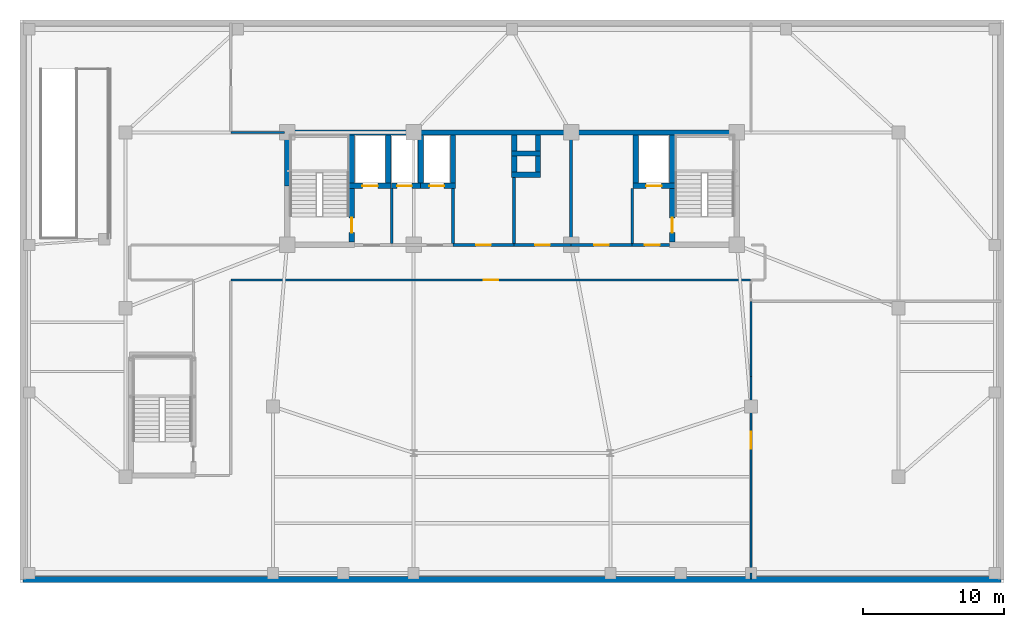
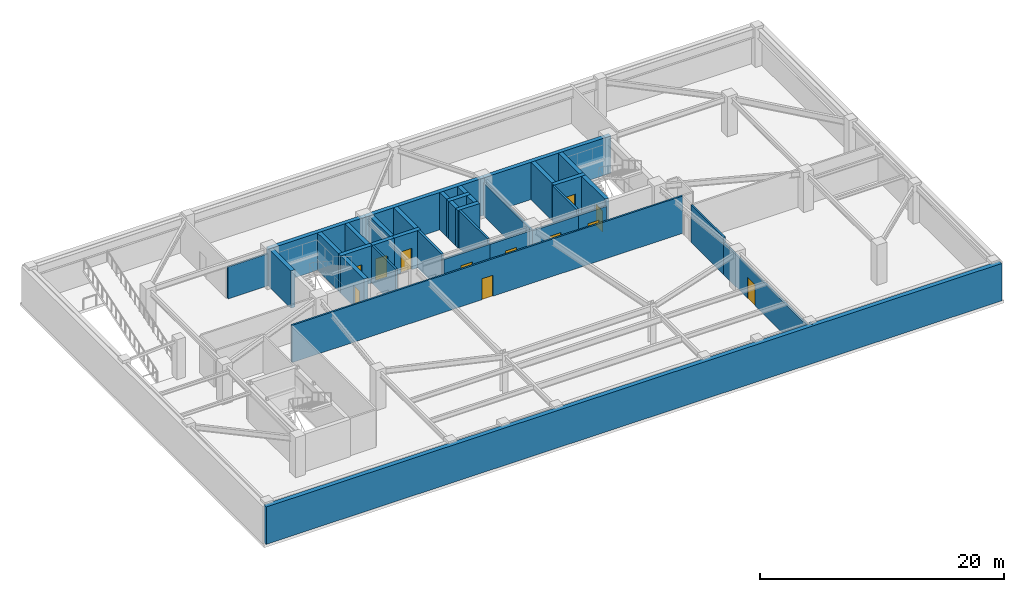
# One storey, part 4 of 8: 37 walls, 12 doors, 12 openings.
"""IFC4 building model written with IfcOpenShell, lengths in metres."""

from ifc_helpers import new_model, si_unit, direction, frame, frame_2d, origin, place, context, subcontext, project, spatial, rectangle, extrude, source, transform, mapped, material, layer, layer_set, type_object, element, fill, save


model = new_model("IFC4")

# Units and contexts
model_context = context("Model", 3, precision=1e-05, world=origin(), true_north=direction((0.0, 1.0)))
body_context = subcontext(model_context, "Body", "Model", "MODEL_VIEW")
ifc_project = project(units=[si_unit("LENGTHUNIT", "METRE"), si_unit("AREAUNIT", "SQUARE_METRE"), si_unit("VOLUMEUNIT", "CUBIC_METRE"), si_unit("PLANEANGLEUNIT", "RADIAN"), si_unit("MASSUNIT", "GRAM", prefix="KILO")], contexts=[model_context])

# Site, building, storey
site_placement = place(None, origin())
site = spatial("IfcSite", under=ifc_project, at=site_placement, CompositionType="ELEMENT")
building_placement = place(site_placement, origin())
building = spatial("IfcBuilding", under=site, at=building_placement, Name="Taldren Reach Tower", CompositionType="ELEMENT")
storey_placement = place(building_placement, frame((0.0, 0.0, -4.0)))
storey = spatial("IfcBuildingStorey", under=building, at=storey_placement, Name="B1", CompositionType="ELEMENT", Elevation=-4.0)

# Walls
ifc_material_1 = material(Name="Concrete S50 (50 MPa)", Category="concrete")
ifc_layer_1 = layer(ifc_material_1, 0.4, Name="Concrete S50 (50 MPa)", Category="concrete")
ifc_material_2 = material(Name="SBS Waterproofing Membrane", Category="bitumen")
ifc_layer_2 = layer(ifc_material_2, 0.02, Name="SBS Waterproofing Membrane", Category="bitumen")
ifc_layer_set_1 = layer_set([ifc_layer_1, ifc_layer_2], Name="Concrete 50 MPa (S50) Retaining Wall with Waterproofing Membrane")
wall_type_1 = type_object("IfcWallType", Name="EW-RET-420", PredefinedType="SOLIDWALL", material=ifc_layer_set_1)
shared_shape_1 = source(origin(), body_context, "Body", "SweptSolid", [
    extrude(rectangle(XDim=69.580078125, YDim=0.419921875, at=frame_2d((34.7900390625, 0.0))), origin(), (0.0, 0.0, 1.0), 3.739990234375),
])
wall_1_placement = place(storey_placement, frame((0.2099609375, 0.2099609375, 0.0), z_axis=(0.0, 0.0, 1.0), x_axis=(1.0, 0.0, 0.0)))
element("IfcWall", 1, at=wall_1_placement, inside=storey, type_object=wall_type_1, Name="Basement diaphragm retaining wall B1-S", PredefinedType="SOLIDWALL", context=body_context, shape_type="MappedRepresentation", body=[
    mapped(shared_shape_1, transform((0.0, 0.0, 0.0), scale=1.0)),
])
ifc_material_3 = material(Name="Concrete S80 (80 MPa)", Category="concrete")
ifc_layer_3 = layer(ifc_material_3, 0.3798828125)
ifc_layer_set_2 = layer_set([ifc_layer_3], Name="Concrete S80 (80 MPa)")
wall_type_2 = type_object("IfcWallType", Name="IW-CORE-380", PredefinedType="SHEAR", material=ifc_layer_set_2)
shared_shape_2 = source(origin(), body_context, "Body", "SweptSolid", [
    extrude(rectangle(XDim=9.18994140625, YDim=0.3798828125, at=frame_2d((4.594970703125, 0.0))), origin(), (0.0, 0.0, 1.0), 3.739990234375),
])
wall_2_placement = place(storey_placement, frame((18.81005859375, 32.0, 0.0), z_axis=(0.0, 0.0, 1.0), x_axis=(1.0, 0.0, 0.0)))
element("IfcWall", 2, at=wall_2_placement, inside=storey, type_object=wall_type_2, Name="Rear Core Shear Wall W-CORE-B1-NORTH1", PredefinedType="SHEAR", context=body_context, shape_type="MappedRepresentation", body=[
    mapped(shared_shape_2, transform((0.0, 0.0, 0.0), scale=1.0)),
])
shared_shape_3 = source(origin(), body_context, "Body", "SweptSolid", [
    extrude(rectangle(XDim=11.199951171875, YDim=0.3798828125, at=frame_2d((5.60009765625, 0.0))), origin(), (0.0, 0.0, 1.0), 3.739990234375),
])
wall_3_placement = place(storey_placement, frame((28.0, 32.0, 0.0), z_axis=(0.0, 0.0, 1.0), x_axis=(1.0, 0.0, 0.0)))
element("IfcWall", 3, at=wall_3_placement, inside=storey, type_object=wall_type_2, Name="Rear Core Shear Wall W-CORE-B1-NORTH2", PredefinedType="SHEAR", context=body_context, shape_type="MappedRepresentation", body=[
    mapped(shared_shape_3, transform((0.0, 0.0, 0.0), scale=1.0)),
])
shared_shape_4 = source(origin(), body_context, "Body", "SweptSolid", [
    extrude(rectangle(XDim=11.989990234375, YDim=0.3798828125, at=frame_2d((5.9951171875, 0.0))), origin(), (0.0, 0.0, 1.0), 3.739990234375),
])
wall_4_placement = place(storey_placement, frame((39.199951171875, 32.0, 0.0), z_axis=(0.0, 0.0, 1.0), x_axis=(1.0, 0.0, 0.0)))
element("IfcWall", 4, at=wall_4_placement, inside=storey, type_object=wall_type_2, Name="Rear Core Shear Wall W-CORE-B1-NORTH3", PredefinedType="SHEAR", context=body_context, shape_type="MappedRepresentation", body=[
    mapped(shared_shape_4, transform((0.0, 0.0, 0.0), scale=1.0)),
])
shared_shape_5 = source(origin(), body_context, "Body", "SweptSolid", [
    extrude(rectangle(XDim=3.610107421875, YDim=0.3798828125, at=frame_2d((1.80517578125, 0.0))), origin(), (0.0, 0.0, 1.0), 3.739990234375),
])
wall_5_placement = place(storey_placement, frame((19.0, 28.199951171875, 0.0), z_axis=(0.0, 0.0, 1.0), x_axis=(0.0, 1.0, 0.0)))
element("IfcWall", 5, at=wall_5_placement, inside=storey, type_object=wall_type_2, Name="Rear Core Shear Wall W-CORE-B1-WEST2", PredefinedType="SHEAR", context=body_context, shape_type="MappedRepresentation", body=[
    mapped(shared_shape_5, transform((0.0, 0.0, 0.0), scale=1.0)),
])
shared_shape_6 = source(origin(), body_context, "Body", "SweptSolid", [
    extrude(rectangle(XDim=3.420166015625, YDim=0.3798828125, at=frame_2d((1.7099609375, 0.0))), origin(), (0.0, 0.0, 1.0), 3.739990234375),
])
for number, where, z_axis, x_axis, name in (
    (6, (23.60009765625, 28.389892578125, 0.0), (0.0, 0.0, 1.0), (0.0, 1.0, 0.0), "Rear Core Shear Wall W-INT-B1-001"),
    (7, (26.199951171875, 28.389892578125, 0.0), (0.0, 0.0, 1.0), (0.0, 1.0, 0.0), "Rear Core Shear Wall W-INT-B1-005"),
    (8, (46.39990234375, 31.81005859375, 0.0), (0.0, 0.0, 1.0), (0.0, -1.0, 0.0), "Rear Core Shear Wall W-INT-B1-008"),
    (9, (43.800048828125, 31.81005859375, 0.0), (0.0, 0.0, 1.0), (0.0, -1.0, 0.0), "Rear Core Shear Wall W-INT-B1-012"),
    (10, (28.5, 28.389892578125, 0.0), (0.0, 0.0, 1.0), (0.0, 1.0, 0.0), "Rear Core Shear Wall W-INT-B1-021"),
    (11, (30.800048828125, 28.389892578125, 0.0), (0.0, 0.0, 1.0), (0.0, 1.0, 0.0), "Rear Core Shear Wall W-INT-B1-024"),
):
    element("IfcWall", number, at=place(storey_placement, frame(where, z_axis=z_axis, x_axis=x_axis)), inside=storey, type_object=wall_type_2, Name=name, PredefinedType="SHEAR", context=body_context, shape_type="MappedRepresentation", body=[
        mapped(shared_shape_6, transform((0.0, 0.0, 0.0), scale=1.0)),
    ])

# Wall, opening, door
shared_shape_7 = source(origin(), body_context, "Body", "SweptSolid", [
    extrude(rectangle(XDim=3.820068359375, YDim=0.3798828125, at=frame_2d((1.91015625, 0.0))), origin(), (0.0, 0.0, 1.0), 3.739990234375),
])
wall_6_placement = place(storey_placement, frame((23.60009765625, 24.18994140625, 0.0), z_axis=(0.0, 0.0, 1.0), x_axis=(0.0, 1.0, 0.0)))
wall_6 = element("IfcWall", 12, at=wall_6_placement, inside=storey, type_object=wall_type_2, Name="Rear Core Shear Wall W-INT-B1-002", PredefinedType="SHEAR", context=body_context, shape_type="MappedRepresentation", body=[
    mapped(shared_shape_7, transform((0.0, 0.0, 0.0), scale=1.0)),
])
shared_shape_8 = source(origin(), body_context, "Body", "SweptSolid", [
    extrude(rectangle(XDim=1.050048828125, YDim=2.10009765625, at=frame_2d((0.52490234375, 1.050048828125))), frame((0.0, 0.199951171875, 0.0), z_axis=(0.0, -1.0, 0.0), x_axis=(1.0, 0.0, 0.0)), (0.0, 0.0, 1.0), 0.39990234375),
])
opening_1_placement = place(wall_6_placement, frame((0.68505859375, 0.0, 0.0)))
opening_1 = element("IfcOpeningElement", 13, at=opening_1_placement, cuts=wall_6, Name="Opening DF-105", PredefinedType="OPENING", context=body_context, shape_type="MappedRepresentation", body=[
    mapped(shared_shape_8, transform((0.0, 0.0, 0.0), scale=1.0)),
])
ifc_material_4 = material(Name="Fire-Rated Care and Stair Exit Door")
door_type_1 = type_object("IfcDoorType", Name="ID-FIRE-105", OperationType="NOTDEFINED", PredefinedType="DOOR", material=ifc_material_4)
shared_shape_9 = source(origin(), body_context, "Body", "SweptSolid", [
    extrude(rectangle(XDim=1.050048828125, YDim=2.10009765625, at=frame_2d((0.52490234375, 1.050048828125))), frame((0.0, 0.02490234375, 0.0), z_axis=(0.0, -1.0, 0.0), x_axis=(1.0, 0.0, 0.0)), (0.0, 0.0, 1.0), 0.050048828125),
])
door_1_placement = place(opening_1_placement, origin())
door_1 = element("IfcDoor", 14, at=door_1_placement, inside=storey, type_object=door_type_1, Name="Fire Exit Stair Door DR-B1-001", OperationType="SINGLE_SWING_LEFT", OverallHeight=2.10009765625, OverallWidth=1.050048828125, PredefinedType="DOOR", context=body_context, shape_type="MappedRepresentation", body=[
    mapped(shared_shape_9, transform((0.0, 0.0, 0.0), scale=1.0)),
])
fill(opening_1, door_1)

wall_7_placement = place(storey_placement, frame((46.39990234375, 28.010009765625, 0.0), z_axis=(0.0, 0.0, 1.0), x_axis=(0.0, -1.0, 0.0)))
wall_7 = element("IfcWall", 15, at=wall_7_placement, inside=storey, type_object=wall_type_2, Name="Rear Core Shear Wall W-INT-B1-009", PredefinedType="SHEAR", context=body_context, shape_type="MappedRepresentation", body=[
    mapped(shared_shape_7, transform((0.0, 0.0, 0.0), scale=1.0)),
])
opening_2_placement = place(wall_7_placement, frame((2.0849609375, 0.0, 0.0)))
opening_2 = element("IfcOpeningElement", 16, at=opening_2_placement, cuts=wall_7, Name="Opening DF-105", PredefinedType="OPENING", context=body_context, shape_type="MappedRepresentation", body=[
    mapped(shared_shape_8, transform((0.0, 0.0, 0.0), scale=1.0)),
])
door_2_placement = place(opening_2_placement, origin())
door_2 = element("IfcDoor", 17, at=door_2_placement, inside=storey, type_object=door_type_1, Name="Fire Exit Stair Door DR-B1-003", OperationType="SINGLE_SWING_RIGHT", OverallHeight=2.10009765625, OverallWidth=1.050048828125, PredefinedType="DOOR", context=body_context, shape_type="MappedRepresentation", body=[
    mapped(shared_shape_9, transform((0.0, 0.0, 0.0), scale=1.0)),
])
fill(opening_2, door_2)

shared_shape_10 = source(origin(), body_context, "Body", "SweptSolid", [
    extrude(rectangle(XDim=2.97998046875, YDim=0.3798828125, at=frame_2d((1.489990234375, 0.0))), origin(), (0.0, 0.0, 1.0), 3.739990234375),
])
wall_8_placement = place(storey_placement, frame((23.409912109375, 28.199951171875, 0.0), z_axis=(0.0, 0.0, 1.0), x_axis=(1.0, 0.0, 0.0)))
wall_8 = element("IfcWall", 18, at=wall_8_placement, inside=storey, type_object=wall_type_2, Name="Rear Core Shear Wall W-INT-B1-004", PredefinedType="SHEAR", context=body_context, shape_type="MappedRepresentation", body=[
    mapped(shared_shape_10, transform((0.0, 0.0, 0.0), scale=1.0)),
])
shared_shape_11 = source(origin(), body_context, "Body", "SweptSolid", [
    extrude(rectangle(XDim=1.10009765625, YDim=2.14990234375, at=frame_2d((0.550048828125, 1.074951171875))), frame((0.0, 0.199951171875, 0.0), z_axis=(0.0, -1.0, 0.0), x_axis=(1.0, 0.0, 0.0)), (0.0, 0.0, 1.0), 0.39990234375),
])
opening_3_placement = place(wall_8_placement, frame((0.93994140625, 0.0, 0.0)))
opening_3 = element("IfcOpeningElement", 19, at=opening_3_placement, cuts=wall_8, Name="Opening LD-FL1", PredefinedType="OPENING", context=body_context, shape_type="MappedRepresentation", body=[
    mapped(shared_shape_11, transform((0.0, 0.0, 0.0), scale=1.0)),
])
ifc_material_5 = material(Name="Stainless Steel Gr 316 Emergency Lift Landing Door", Category="steel")
door_type_2 = type_object("IfcDoorType", Name="LD-EMG-110", OperationType="SLIDING_TO_LEFT", PredefinedType="DOOR", material=ifc_material_5)
shared_shape_12 = source(origin(), body_context, "Body", "SweptSolid", [
    extrude(rectangle(XDim=1.10009765625, YDim=2.14990234375, at=frame_2d((0.550048828125, 1.074951171875))), frame((0.0, 0.02490234375, 0.0), z_axis=(0.0, -1.0, 0.0), x_axis=(1.0, 0.0, 0.0)), (0.0, 0.0, 1.0), 0.050048828125),
])
door_3_placement = place(opening_3_placement, origin())
door_3 = element("IfcDoor", 20, at=door_3_placement, inside=storey, type_object=door_type_2, Name="Lift Landing Door LD-FL1-B1", OperationType="SLIDING_TO_LEFT", OverallHeight=2.14990234375, OverallWidth=1.10009765625, PredefinedType="DOOR", context=body_context, shape_type="MappedRepresentation", body=[
    mapped(shared_shape_12, transform((0.0, 0.0, 0.0), scale=1.0)),
])
fill(opening_3, door_3)

wall_9_placement = place(storey_placement, frame((43.610107421875, 28.199951171875, 0.0), z_axis=(0.0, 0.0, 1.0), x_axis=(1.0, 0.0, 0.0)))
wall_9 = element("IfcWall", 21, at=wall_9_placement, inside=storey, type_object=wall_type_2, Name="Rear Core Shear Wall W-INT-B1-011", PredefinedType="SHEAR", context=body_context, shape_type="MappedRepresentation", body=[
    mapped(shared_shape_10, transform((0.0, 0.0, 0.0), scale=1.0)),
])
opening_4_placement = place(wall_9_placement, frame((0.93994140625, 0.0, 0.0)))
opening_4 = element("IfcOpeningElement", 22, at=opening_4_placement, cuts=wall_9, Name="Opening LD-FL2", PredefinedType="OPENING", context=body_context, shape_type="MappedRepresentation", body=[
    mapped(shared_shape_11, transform((0.0, 0.0, 0.0), scale=1.0)),
])
door_4_placement = place(opening_4_placement, origin())
door_4 = element("IfcDoor", 23, at=door_4_placement, inside=storey, type_object=door_type_2, Name="Lift Landing Door LD-FL2-B1", OperationType="SLIDING_TO_LEFT", OverallHeight=2.14990234375, OverallWidth=1.10009765625, PredefinedType="DOOR", context=body_context, shape_type="MappedRepresentation", body=[
    mapped(shared_shape_12, transform((0.0, 0.0, 0.0), scale=1.0)),
])
fill(opening_4, door_4)

# Walls
ifc_layer_4 = layer(ifc_material_1, 0.199951171875)
ifc_layer_set_3 = layer_set([ifc_layer_4], Name="Concrete S50 (50 MPa)")
wall_type_3 = type_object("IfcWallType", Name="IW-CORE-200", PredefinedType="SOLIDWALL", material=ifc_layer_set_3)
shared_shape_13 = source(origin(), body_context, "Body", "SweptSolid", [
    extrude(rectangle(XDim=3.909912109375, YDim=0.199951171875, at=frame_2d((1.955078125, 0.0))), origin(), (0.0, 0.0, 1.0), 3.739990234375),
])
for number, where, z_axis, x_axis, name in (
    (24, (26.449951171875, 24.10009765625, 0.0), (0.0, 0.0, 1.0), (0.0, 1.0, 0.0), "Rear Core Shear Wall W-INT-B1-006"),
    (25, (43.550048828125, 28.010009765625, 0.0), (0.0, 0.0, 1.0), (0.0, -1.0, 0.0), "Rear Core Shear Wall W-INT-B1-013"),
    (26, (30.800048828125, 28.010009765625, 0.0), (0.0, 0.0, 1.0), (0.0, -1.0, 0.0), "Rear Core Shear Wall W-INT-B1-025"),
):
    element("IfcWall", number, at=place(storey_placement, frame(where, z_axis=z_axis, x_axis=x_axis)), inside=storey, type_object=wall_type_3, Name=name, PredefinedType="SOLIDWALL", context=body_context, shape_type="MappedRepresentation", body=[
        mapped(shared_shape_13, transform((0.0, 0.0, 0.0), scale=1.0)),
    ])

# Wall, opening, door
shared_shape_14 = source(origin(), body_context, "Body", "SweptSolid", [
    extrude(rectangle(XDim=2.659912109375, YDim=0.199951171875, at=frame_2d((1.330078125, 0.0))), origin(), (0.0, 0.0, 1.0), 3.20703125),
])
wall_10_placement = place(storey_placement, frame((43.550048828125, 24.0, 0.0), z_axis=(0.0, 0.0, 1.0), x_axis=(1.0, 0.0, 0.0)))
wall_10 = element("IfcWall", 27, at=wall_10_placement, inside=storey, type_object=wall_type_3, Name="Rear Core Shear Wall W-INT-B1-014", PredefinedType="SOLIDWALL", context=body_context, shape_type="MappedRepresentation", body=[
    mapped(shared_shape_14, transform((0.0, 0.0, 0.0), scale=1.0)),
])
shared_shape_15 = source(origin(), body_context, "Body", "SweptSolid", [
    extrude(rectangle(XDim=1.050048828125, YDim=2.10009765625, at=frame_2d((0.52490234375, 1.050048828125))), frame((0.0, 0.10986328125, 0.0), z_axis=(0.0, -1.0, 0.0), x_axis=(1.0, 0.0, 0.0)), (0.0, 0.0, 1.0), 0.219970703125),
])
opening_5_placement = place(wall_10_placement, frame((0.89990234375, 0.0, 0.0)))
opening_5 = element("IfcOpeningElement", 28, at=opening_5_placement, cuts=wall_10, Name="Opening DF-105", PredefinedType="OPENING", context=body_context, shape_type="MappedRepresentation", body=[
    mapped(shared_shape_15, transform((0.0, 0.0, 0.0), scale=1.0)),
])
door_5_placement = place(opening_5_placement, origin())
door_5 = element("IfcDoor", 29, at=door_5_placement, inside=storey, type_object=door_type_1, Name="Interior Door DR-B1-004", OperationType="SINGLE_SWING_LEFT", OverallHeight=2.10009765625, OverallWidth=1.050048828125, PredefinedType="DOOR", context=body_context, shape_type="MappedRepresentation", body=[
    mapped(shared_shape_9, transform((0.0, 0.0, 0.0), scale=1.0)),
])
fill(opening_5, door_5)

# Walls
shared_shape_16 = source(origin(), body_context, "Body", "SweptSolid", [
    extrude(rectangle(XDim=2.080078125, YDim=0.3798828125, at=frame_2d((1.0400390625, 0.0))), origin(), (0.0, 0.0, 1.0), 3.739990234375),
])
for number, where, z_axis, x_axis, name in (
    (30, (34.9599609375, 30.5, 0.0), (0.0, 0.0, 1.0), (1.0, 0.0, 0.0), "Rear Core Shear Wall W-INT-B1-015"),
    (31, (34.9599609375, 29.0, 0.0), (0.0, 0.0, 1.0), (1.0, 0.0, 0.0), "Rear Core Shear Wall W-INT-B1-019"),
):
    element("IfcWall", number, at=place(storey_placement, frame(where, z_axis=z_axis, x_axis=x_axis)), inside=storey, type_object=wall_type_2, Name=name, PredefinedType="SHEAR", context=body_context, shape_type="MappedRepresentation", body=[
        mapped(shared_shape_16, transform((0.0, 0.0, 0.0), scale=1.0)),
    ])
shared_shape_17 = source(origin(), body_context, "Body", "SweptSolid", [
    extrude(rectangle(XDim=1.1201171875, YDim=0.3798828125, at=frame_2d((0.56005859375, 0.0))), origin(), (0.0, 0.0, 1.0), 3.739990234375),
])
for number, where, z_axis, x_axis, name in (
    (32, (35.14990234375, 31.81005859375, 0.0), (0.0, 0.0, 1.0), (0.0, -1.0, 0.0), "Rear Core Shear Wall W-INT-B1-016"),
    (33, (36.85009765625, 30.68994140625, 0.0), (0.0, 0.0, 1.0), (0.0, 1.0, 0.0), "Rear Core Shear Wall W-INT-B1-017"),
    (34, (35.14990234375, 30.31005859375, 0.0), (0.0, 0.0, 1.0), (0.0, -1.0, 0.0), "Rear Core Shear Wall W-INT-B1-018"),
    (35, (36.85009765625, 29.18994140625, 0.0), (0.0, 0.0, 1.0), (0.0, 1.0, 0.0), "Rear Core Shear Wall W-INT-B1-020"),
):
    element("IfcWall", number, at=place(storey_placement, frame(where, z_axis=z_axis, x_axis=x_axis)), inside=storey, type_object=wall_type_2, Name=name, PredefinedType="SHEAR", context=body_context, shape_type="MappedRepresentation", body=[
        mapped(shared_shape_17, transform((0.0, 0.0, 0.0), scale=1.0)),
    ])

# Wall, opening, door
shared_shape_18 = source(origin(), body_context, "Body", "SweptSolid", [
    extrude(rectangle(XDim=2.070068359375, YDim=0.3798828125, at=frame_2d((1.03515625, 0.0))), origin(), (0.0, 0.0, 1.0), 3.739990234375),
])
wall_11_placement = place(storey_placement, frame((26.429931640625, 28.199951171875, 0.0), z_axis=(0.0, 0.0, 1.0), x_axis=(1.0, 0.0, 0.0)))
wall_11 = element("IfcWall", 36, at=wall_11_placement, inside=storey, type_object=wall_type_2, Name="Rear Core Shear Wall W-INT-B1-022", PredefinedType="SHEAR", context=body_context, shape_type="MappedRepresentation", body=[
    mapped(shared_shape_18, transform((0.0, 0.0, 0.0), scale=1.0)),
])
shared_shape_19 = source(origin(), body_context, "Body", "SweptSolid", [
    extrude(rectangle(XDim=1.050048828125, YDim=2.14990234375, at=frame_2d((0.52490234375, 1.074951171875))), frame((0.0, 0.199951171875, 0.0), z_axis=(0.0, -1.0, 0.0), x_axis=(1.0, 0.0, 0.0)), (0.0, 0.0, 1.0), 0.39990234375),
])
opening_6_placement = place(wall_11_placement, frame((0.39501953125, 0.0, 0.0)))
opening_6 = element("IfcOpeningElement", 37, at=opening_6_placement, cuts=wall_11, Name="Opening LD-PL1", PredefinedType="OPENING", context=body_context, shape_type="MappedRepresentation", body=[
    mapped(shared_shape_19, transform((0.0, 0.0, 0.0), scale=1.0)),
])
ifc_material_6 = material(Name="Stainless Steel Gr 316 Passenger Lift Landing Door", Category="steel")
door_type_3 = type_object("IfcDoorType", Name="LD-PAS-105", OperationType="SLIDING_TO_LEFT", PredefinedType="DOOR", material=ifc_material_6)
shared_shape_20 = source(origin(), body_context, "Body", "SweptSolid", [
    extrude(rectangle(XDim=1.050048828125, YDim=2.14990234375, at=frame_2d((0.52490234375, 1.074951171875))), frame((0.0, 0.02490234375, 0.0), z_axis=(0.0, -1.0, 0.0), x_axis=(1.0, 0.0, 0.0)), (0.0, 0.0, 1.0), 0.050048828125),
])
door_6_placement = place(opening_6_placement, origin())
door_6 = element("IfcDoor", 38, at=door_6_placement, inside=storey, type_object=door_type_3, Name="Lift Landing Door LD-PL1-B1", OperationType="SLIDING_TO_LEFT", OverallHeight=2.14990234375, OverallWidth=1.050048828125, PredefinedType="DOOR", context=body_context, shape_type="MappedRepresentation", body=[
    mapped(shared_shape_20, transform((0.0, 0.0, 0.0), scale=1.0)),
])
fill(opening_6, door_6)

shared_shape_21 = source(origin(), body_context, "Body", "SweptSolid", [
    extrude(rectangle(XDim=2.489990234375, YDim=0.3798828125, at=frame_2d((1.2451171875, 0.0))), origin(), (0.0, 0.0, 1.0), 3.739990234375),
])
wall_12_placement = place(storey_placement, frame((28.5, 28.199951171875, 0.0), z_axis=(0.0, 0.0, 1.0), x_axis=(1.0, 0.0, 0.0)))
wall_12 = element("IfcWall", 39, at=wall_12_placement, inside=storey, type_object=wall_type_2, Name="Rear Core Shear Wall W-INT-B1-023", PredefinedType="SHEAR", context=body_context, shape_type="MappedRepresentation", body=[
    mapped(shared_shape_21, transform((0.0, 0.0, 0.0), scale=1.0)),
])
opening_7_placement = place(wall_12_placement, frame((0.625, 0.0, 0.0)))
opening_7 = element("IfcOpeningElement", 40, at=opening_7_placement, cuts=wall_12, Name="Opening LD-PL2", PredefinedType="OPENING", context=body_context, shape_type="MappedRepresentation", body=[
    mapped(shared_shape_19, transform((0.0, 0.0, 0.0), scale=1.0)),
])
door_7_placement = place(opening_7_placement, origin())
door_7 = element("IfcDoor", 41, at=door_7_placement, inside=storey, type_object=door_type_3, Name="Lift Landing Door LD-PL2-B1", OperationType="SLIDING_TO_LEFT", OverallHeight=2.14990234375, OverallWidth=1.050048828125, PredefinedType="DOOR", context=body_context, shape_type="MappedRepresentation", body=[
    mapped(shared_shape_20, transform((0.0, 0.0, 0.0), scale=1.0)),
])
fill(opening_7, door_7)

# Wall
shared_shape_22 = source(origin(), body_context, "Body", "SweptSolid", [
    extrude(rectangle(XDim=4.7099609375, YDim=0.199951171875, at=frame_2d((2.35498046875, 0.0))), origin(), (0.0, 0.0, 1.0), 3.739990234375),
])
wall_13_placement = place(storey_placement, frame((35.14990234375, 28.81005859375, 0.0), z_axis=(0.0, 0.0, 1.0), x_axis=(0.0, -1.0, 0.0)))
element("IfcWall", 42, at=wall_13_placement, inside=storey, type_object=wall_type_3, Name="Rear Core Shear Wall W-INT-B1-027", PredefinedType="SOLIDWALL", context=body_context, shape_type="MappedRepresentation", body=[
    mapped(shared_shape_22, transform((0.0, 0.0, 0.0), scale=1.0)),
])

# Wall, opening, door
shared_shape_23 = source(origin(), body_context, "Body", "SweptSolid", [
    extrude(rectangle(XDim=4.349853515625, YDim=0.199951171875, at=frame_2d((2.1748046875, 0.0))), origin(), (0.0, 0.0, 1.0), 3.280029296875),
])
wall_14_placement = place(storey_placement, frame((35.14990234375, 24.0, 0.0), z_axis=(0.0, 0.0, 1.0), x_axis=(-1.0, 0.0, 0.0)))
wall_14 = element("IfcWall", 43, at=wall_14_placement, inside=storey, type_object=wall_type_3, Name="Rear Core Shear Wall W-INT-B1-028", PredefinedType="SOLIDWALL", context=body_context, shape_type="MappedRepresentation", body=[
    mapped(shared_shape_23, transform((0.0, 0.0, 0.0), scale=1.0)),
])
opening_8_placement = place(wall_14_placement, frame((1.64990234375, 0.0, 0.0)))
opening_8 = element("IfcOpeningElement", 44, at=opening_8_placement, cuts=wall_14, Name="Opening DF-105", PredefinedType="OPENING", context=body_context, shape_type="MappedRepresentation", body=[
    mapped(shared_shape_15, transform((0.0, 0.0, 0.0), scale=1.0)),
])
door_8_placement = place(opening_8_placement, frame((1.050048828125, 0.0, 0.0), z_axis=(0.0, 0.0, 1.0), x_axis=(-1.0, 0.0, 0.0)))
door_8 = element("IfcDoor", 45, at=door_8_placement, inside=storey, type_object=door_type_1, Name="Interior Door DR-B1-006", OperationType="SINGLE_SWING_RIGHT", OverallHeight=2.10009765625, OverallWidth=1.050048828125, PredefinedType="DOOR", context=body_context, shape_type="MappedRepresentation", body=[
    mapped(shared_shape_9, transform((0.0, 0.0, 0.0), scale=1.0)),
])
fill(opening_8, door_8)

# Wall
shared_shape_24 = source(origin(), body_context, "Body", "SweptSolid", [
    extrude(rectangle(XDim=7.7099609375, YDim=0.199951171875, at=frame_2d((3.85498046875, 0.0))), origin(), (0.0, 0.0, 1.0), 3.280029296875),
])
wall_15_placement = place(storey_placement, frame((39.199951171875, 31.81005859375, 0.0), z_axis=(0.0, 0.0, 1.0), x_axis=(0.0, -1.0, 0.0)))
element("IfcWall", 46, at=wall_15_placement, inside=storey, type_object=wall_type_3, Name="Rear Core Shear Wall W-INT-B1-029", PredefinedType="SOLIDWALL", context=body_context, shape_type="MappedRepresentation", body=[
    mapped(shared_shape_24, transform((0.0, 0.0, 0.0), scale=1.0)),
])

# Wall, opening, door
shared_shape_25 = source(origin(), body_context, "Body", "SweptSolid", [
    extrude(rectangle(XDim=4.050048828125, YDim=0.199951171875, at=frame_2d((2.02490234375, 0.0))), origin(), (0.0, 0.0, 1.0), 3.280029296875),
])
wall_16_placement = place(storey_placement, frame((39.199951171875, 24.0, 0.0), z_axis=(0.0, 0.0, 1.0), x_axis=(-1.0, 0.0, 0.0)))
wall_16 = element("IfcWall", 47, at=wall_16_placement, inside=storey, type_object=wall_type_3, Name="Rear Core Shear Wall W-INT-B1-030", PredefinedType="SOLIDWALL", context=body_context, shape_type="MappedRepresentation", body=[
    mapped(shared_shape_25, transform((0.0, 0.0, 0.0), scale=1.0)),
])
opening_9_placement = place(wall_16_placement, frame((1.5, 0.0, 0.0)))
opening_9 = element("IfcOpeningElement", 48, at=opening_9_placement, cuts=wall_16, Name="Opening DF-105", PredefinedType="OPENING", context=body_context, shape_type="MappedRepresentation", body=[
    mapped(shared_shape_15, transform((0.0, 0.0, 0.0), scale=1.0)),
])
door_9_placement = place(opening_9_placement, frame((1.050048828125, 0.0, 0.0), z_axis=(0.0, 0.0, 1.0), x_axis=(-1.0, 0.0, 0.0)))
door_9 = element("IfcDoor", 49, at=door_9_placement, inside=storey, type_object=door_type_1, Name="Interior Door DR-B1-007", OperationType="SINGLE_SWING_LEFT", OverallHeight=2.10009765625, OverallWidth=1.050048828125, PredefinedType="DOOR", context=body_context, shape_type="MappedRepresentation", body=[
    mapped(shared_shape_9, transform((0.0, 0.0, 0.0), scale=1.0)),
])
fill(opening_9, door_9)

shared_shape_26 = source(origin(), body_context, "Body", "SweptSolid", [
    extrude(rectangle(XDim=4.35009765625, YDim=0.199951171875, at=frame_2d((2.175048828125, 0.0))), origin(), (0.0, 0.0, 1.0), 3.20703125),
])
wall_17_placement = place(storey_placement, frame((43.550048828125, 24.0, 0.0), z_axis=(0.0, 0.0, 1.0), x_axis=(-1.0, 0.0, 0.0)))
wall_17 = element("IfcWall", 50, at=wall_17_placement, inside=storey, type_object=wall_type_3, Name="Rear Core Shear Wall W-INT-B1-031", PredefinedType="SOLIDWALL", context=body_context, shape_type="MappedRepresentation", body=[
    mapped(shared_shape_26, transform((0.0, 0.0, 0.0), scale=1.0)),
])
opening_10_placement = place(wall_17_placement, frame((1.64990234375, 0.0, 0.0)))
opening_10 = element("IfcOpeningElement", 51, at=opening_10_placement, cuts=wall_17, Name="Opening DF-105", PredefinedType="OPENING", context=body_context, shape_type="MappedRepresentation", body=[
    mapped(shared_shape_15, transform((0.0, 0.0, 0.0), scale=1.0)),
])
door_10_placement = place(opening_10_placement, frame((1.050048828125, 0.0, 0.0), z_axis=(0.0, 0.0, 1.0), x_axis=(-1.0, 0.0, 0.0)))
door_10 = element("IfcDoor", 52, at=door_10_placement, inside=storey, type_object=door_type_1, Name="Interior Door DR-B1-008", OperationType="SINGLE_SWING_RIGHT", OverallHeight=2.10009765625, OverallWidth=1.050048828125, PredefinedType="DOOR", context=body_context, shape_type="MappedRepresentation", body=[
    mapped(shared_shape_9, transform((0.0, 0.0, 0.0), scale=1.0)),
])
fill(opening_10, door_10)

ifc_material_7 = material(Name="Fire-Rated Acoustic Plasterboard Stud Wall", Category="gypsum")
ifc_layer_5 = layer(ifc_material_7, 0.159912109375)
ifc_layer_set_4 = layer_set([ifc_layer_5], Name="Fire-Rated Acoustic Plasterboard Stud Wall")
wall_type_4 = type_object("IfcWallType", Name="IW-FIRE-160", PredefinedType="PARTITIONING", material=ifc_layer_set_4)
shared_shape_27 = source(origin(), body_context, "Body", "SweptSolid", [
    extrude(rectangle(XDim=36.95947265625, YDim=0.159912109375, at=frame_2d((18.479736328125, 0.0))), origin(), (0.0, 0.0, 1.0), 3.739990234375),
])
wall_18_placement = place(storey_placement, frame((51.979736328125, 21.5, 0.0), z_axis=(0.0, 0.0, 1.0), x_axis=(-1.0, 0.0, 0.0)))
wall_18 = element("IfcWall", 53, at=wall_18_placement, inside=storey, type_object=wall_type_4, Name="Interior Partition Wall W-INT-B1-036", PredefinedType="PARTITIONING", context=body_context, shape_type="MappedRepresentation", body=[
    mapped(shared_shape_27, transform((0.0, 0.0, 0.0), scale=1.0)),
])
shared_shape_28 = source(origin(), body_context, "Body", "SweptSolid", [
    extrude(rectangle(XDim=1.050048828125, YDim=2.10009765625, at=frame_2d((0.52490234375, 1.050048828125))), frame((0.0, 0.08984375, 0.0), z_axis=(0.0, -1.0, 0.0), x_axis=(1.0, 0.0, 0.0)), (0.0, 0.0, 1.0), 0.179931640625),
])
opening_11_placement = place(wall_18_placement, frame((17.954833984375, 0.0, 0.0)))
opening_11 = element("IfcOpeningElement", 54, at=opening_11_placement, cuts=wall_18, Name="Opening DF-105", PredefinedType="OPENING", context=body_context, shape_type="MappedRepresentation", body=[
    mapped(shared_shape_28, transform((0.0, 0.0, 0.0), scale=1.0)),
])
door_11_placement = place(opening_11_placement, origin())
door_11 = element("IfcDoor", 55, at=door_11_placement, inside=storey, type_object=door_type_1, Name="Interior Door DR-B1-010", OperationType="SINGLE_SWING_LEFT", OverallHeight=2.10009765625, OverallWidth=1.050048828125, PredefinedType="DOOR", context=body_context, shape_type="MappedRepresentation", body=[
    mapped(shared_shape_9, transform((0.0, 0.0, 0.0), scale=1.0)),
])
fill(opening_11, door_11)

# Wall
shared_shape_29 = source(origin(), body_context, "Body", "SweptSolid", [
    extrude(rectangle(XDim=5.353515625, YDim=0.159912109375, at=frame_2d((2.6767578125, 0.0))), origin(), (0.0, 0.0, 1.0), 3.739990234375),
])
wall_19_placement = place(storey_placement, frame((52.0, 19.979736328125, 0.0), z_axis=(0.0, 0.0, 1.0), x_axis=(0.0, -1.0, 0.0)))
element("IfcWall", 56, at=wall_19_placement, inside=storey, type_object=wall_type_4, Name="Interior Partition Wall W-INT-B1-046", PredefinedType="PARTITIONING", context=body_context, shape_type="MappedRepresentation", body=[
    mapped(shared_shape_29, transform((0.0, 0.0, 0.0), scale=1.0)),
])

# Wall, opening, door
shared_shape_30 = source(origin(), body_context, "Body", "SweptSolid", [
    extrude(rectangle(XDim=13.976318359375, YDim=0.159912109375, at=frame_2d((6.98828125, 0.0))), origin(), (0.0, 0.0, 1.0), 3.20703125),
])
wall_20_placement = place(storey_placement, frame((52.0, 14.626220703125, 0.0), z_axis=(0.0, 0.0, 1.0), x_axis=(0.0, -1.0, 0.0)))
wall_20 = element("IfcWall", 57, at=wall_20_placement, inside=storey, type_object=wall_type_4, Name="Interior Partition Wall W-INT-B1-046 part 2", PredefinedType="PARTITIONING", context=body_context, shape_type="MappedRepresentation", body=[
    mapped(shared_shape_30, transform((0.0, 0.0, 0.0), scale=1.0)),
])
shared_shape_31 = source(origin(), body_context, "Body", "SweptSolid", [
    extrude(rectangle(XDim=1.199951171875, YDim=2.10009765625, at=frame_2d((0.60009765625, 1.050048828125))), frame((0.0, 0.08984375, 0.0), z_axis=(0.0, -1.0, 0.0), x_axis=(1.0, 0.0, 0.0)), (0.0, 0.0, 1.0), 0.179931640625),
])
opening_12_placement = place(wall_20_placement, frame((3.92138671875, 0.0, 0.0)))
opening_12 = element("IfcOpeningElement", 58, at=opening_12_placement, cuts=wall_20, Name="Opening DG-120", PredefinedType="OPENING", context=body_context, shape_type="MappedRepresentation", body=[
    mapped(shared_shape_31, transform((0.0, 0.0, 0.0), scale=1.0)),
])
ifc_material_8 = material(Name="Galvanised Steel Gr 350 (C350L0) Plant Security Gate", Category="steel")
door_type_4 = type_object("IfcDoorType", Name="ID-GATE-120", OperationType="NOTDEFINED", PredefinedType="GATE", material=ifc_material_8)
shared_shape_32 = source(origin(), body_context, "Body", "SweptSolid", [
    extrude(rectangle(XDim=1.199951171875, YDim=2.10009765625, at=frame_2d((0.60009765625, 1.050048828125))), frame((0.0, 0.02490234375, 0.0), z_axis=(0.0, -1.0, 0.0), x_axis=(1.0, 0.0, 0.0)), (0.0, 0.0, 1.0), 0.050048828125),
])
door_12_placement = place(opening_12_placement, origin())
door_12 = element("IfcDoor", 59, at=door_12_placement, inside=storey, type_object=door_type_4, Name="Interior Door DR-B1-011", OperationType="SINGLE_SWING_RIGHT", OverallHeight=2.10009765625, OverallWidth=1.199951171875, PredefinedType="GATE", context=body_context, shape_type="MappedRepresentation", body=[
    mapped(shared_shape_32, transform((0.0, 0.0, 0.0), scale=1.0)),
])
fill(opening_12, door_12)

# Walls
shared_shape_33 = source(origin(), body_context, "Body", "SweptSolid", [
    extrude(rectangle(XDim=0.419921875, YDim=0.159912109375, at=frame_2d((0.2099609375, 0.0))), origin(), (0.0, 0.0, 1.0), 3.739990234375),
])
wall_21_placement = place(storey_placement, frame((52.0, 0.64990234375, 0.0), z_axis=(0.0, 0.0, 1.0), x_axis=(0.0, -1.0, 0.0)))
element("IfcWall", 60, at=wall_21_placement, inside=storey, type_object=wall_type_4, Name="Interior Partition Wall W-INT-B1-046 part 3", PredefinedType="PARTITIONING", context=body_context, shape_type="MappedRepresentation", body=[
    mapped(shared_shape_33, transform((0.0, 0.0, 0.0), scale=1.0)),
])
shared_shape_34 = source(origin(), body_context, "Body", "SweptSolid", [
    extrude(rectangle(XDim=3.789794921875, YDim=0.159912109375, at=frame_2d((1.89501953125, 0.0))), origin(), (0.0, 0.0, 1.0), 3.20703125),
])
wall_22_placement = place(storey_placement, frame((15.020263671875, 32.0, 0.0), z_axis=(0.0, 0.0, 1.0), x_axis=(1.0, 0.0, 0.0)))
element("IfcWall", 61, at=wall_22_placement, inside=storey, type_object=wall_type_4, Name="Interior Partition Wall W-INT-B1-049", PredefinedType="PARTITIONING", context=body_context, shape_type="MappedRepresentation", body=[
    mapped(shared_shape_34, transform((0.0, 0.0, 0.0), scale=1.0)),
])

save(model, "model.ifc")
